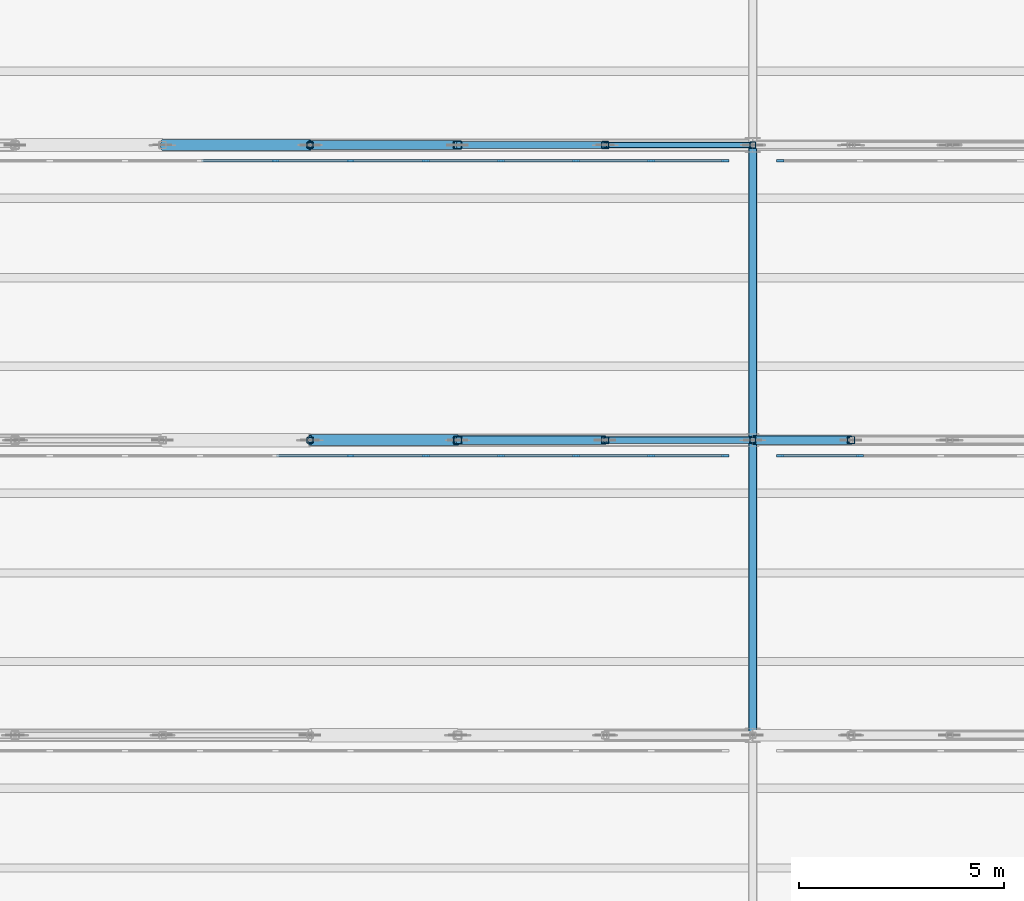
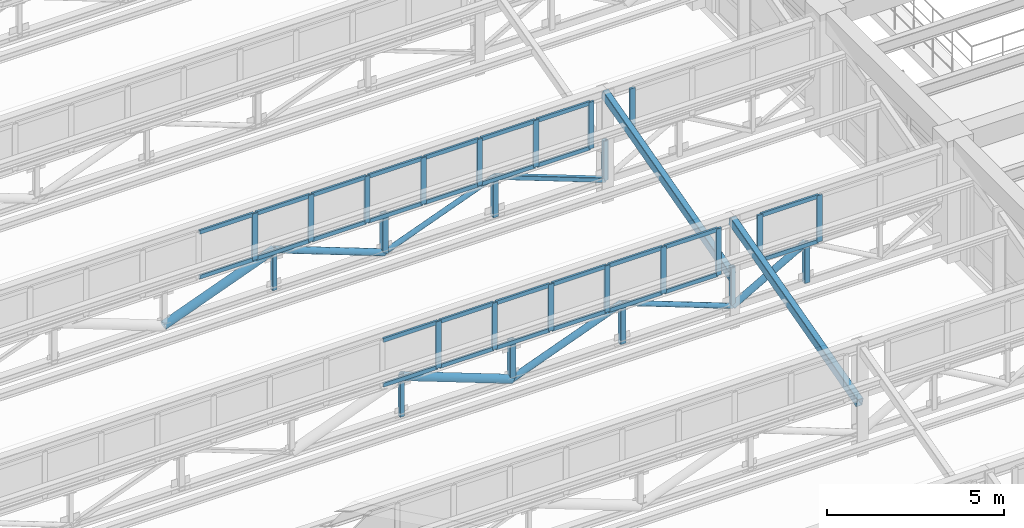
# One storey, part 21 of 98: 61 members, 2 beams, 4 elements without a shape of their own.
"""IFC4 building model written with IfcOpenShell, lengths in metres."""

from ifc_helpers import new_model, si_unit, direction, frame, origin, origin_2d, place, context, subcontext, project, spatial, rectangle, hollow_rectangle, hollow_circle, extrude, material, layer, layer_set, material_profile, profile_set, type_object, element, aggregate, save


model = new_model("IFC4")

# Units and contexts
model_context = context("Model", 3, precision=1e-05, world=origin(), true_north=direction((0.0, 1.0)))
body_context = subcontext(model_context, "Body", "Model", "MODEL_VIEW")
ifc_project = project(units=[si_unit("LENGTHUNIT", "METRE"), si_unit("AREAUNIT", "SQUARE_METRE"), si_unit("VOLUMEUNIT", "CUBIC_METRE"), si_unit("PLANEANGLEUNIT", "RADIAN"), si_unit("MASSUNIT", "GRAM", prefix="KILO")], contexts=[model_context])

# Site, building, storey
site_placement = place(None, origin())
site = spatial("IfcSite", under=ifc_project, at=site_placement, CompositionType="ELEMENT")
building_placement = place(site_placement, origin())
building = spatial("IfcBuilding", under=site, at=building_placement, Name="Solenvale Faculty of Natural Sciences", CompositionType="ELEMENT")
storey_placement = place(building_placement, frame((0.0, 0.0, 9.0)))
storey = spatial("IfcBuildingStorey", under=building, at=storey_placement, Name="L02", CompositionType="ELEMENT", Elevation=9.0)

# Beams
ifc_material_1 = material(Name="Steel S355", Category="steel")
ifc_material_profile_1 = material_profile(ifc_material_1, hollow_rectangle(XDim=0.202880859375, YDim=0.304931640625, WallThickness=0.0126953125, InnerFilletRadius=0.0126953125, OuterFilletRadius=0.025390625, at=origin_2d()), Name="HSS305x203x13")
ifc_profile_set_1 = profile_set([ifc_material_profile_1], Name="Steel S355")
beam_type = type_object("IfcBeamType", Name="BM-RAF-HSS305", PredefinedType="BEAM", material=ifc_profile_set_1)
beam_1_placement = place(storey_placement, frame((28.800048828125, 14.39990234375, 1.719970703125), z_axis=(0.0, 0.965904187204, 0.258899789768), x_axis=(-1.0, 0.0, 0.0)))
element("IfcBeam", 1, at=beam_1_placement, inside=storey, type_object=beam_type, Name="V1 Sawtooth End Rafter 3.1.E", PredefinedType="BEAM", context=body_context, shape_type="SweptSolid", body=[
    extrude(hollow_rectangle(XDim=0.202880859375, YDim=0.304931640625, WallThickness=0.0126953125, InnerFilletRadius=0.0126953125, OuterFilletRadius=0.025390625, at=origin_2d()), origin(), (0.0, 0.0, 1.0), 7.454345703125),
])
beam_2_placement = place(storey_placement, frame((28.800048828125, 21.60009765625, 1.719970703125), z_axis=(0.0, 0.965901991803, 0.258907980238), x_axis=(-1.0, 0.0, 0.0)))
element("IfcBeam", 2, at=beam_2_placement, inside=storey, type_object=beam_type, Name="V1 Sawtooth End Rafter 4.1.E", PredefinedType="BEAM", context=body_context, shape_type="SweptSolid", body=[
    extrude(hollow_rectangle(XDim=0.202880859375, YDim=0.304931640625, WallThickness=0.0126953125, InnerFilletRadius=0.0126953125, OuterFilletRadius=0.025390625, at=origin_2d()), origin(), (0.0, 0.0, 1.0), 7.4541015625),
])

# Curtain wall, members
ifc_material_2 = material(Name="Anodised bronze aluminium", Category="aluminium")
ifc_layer = layer(ifc_material_2, 0.1650390625)
ifc_layer_set = layer_set([ifc_layer], Name="Anodised bronze aluminium")
curtain_wall_type = type_object("IfcCurtainWallType", Name="CW-SAW-CLR", PredefinedType="USERDEFINED", material=ifc_layer_set)
curtain_wall_1_placement = place(storey_placement, origin())
curtain_wall_1 = element("IfcCurtainWall", 3, at=curtain_wall_1_placement, inside=storey, type_object=curtain_wall_type, Name="L02 Curtain Wall SAW-V1-CW-3-1", ObjectType="NORTH LIGHT CLERESTORY", PredefinedType="USERDEFINED")
ifc_material_profile_2 = material_profile(ifc_material_2, rectangle(XDim=0.06494140625, YDim=0.175048828125, at=origin_2d()), Name="ALU-MUL-65x175")
ifc_profile_set_2 = profile_set([ifc_material_profile_2], Name="Anodised bronze aluminium")
member_type_1 = type_object("IfcMemberType", Name="CWM-ALU-65x175", PredefinedType="MULLION", material=ifc_profile_set_2)
member_1_placement = place(storey_placement, frame((28.12744140625, 21.219970703125, 2.22998046875), z_axis=(0.0, 0.0, 1.0), x_axis=(0.0, -1.0, 0.0)))
member_1 = element("IfcMember", 4, at=member_1_placement, type_object=member_type_1, Name="CW-05 mullion 1", PredefinedType="MULLION", context=body_context, shape_type="SweptSolid", body=[
    extrude(rectangle(XDim=0.06494140625, YDim=0.175048828125, at=origin_2d()), origin(), (0.0, 0.0, 1.0), 1.610107421875),
])
member_2_placement = place(storey_placement, frame((26.325439453125, 21.219970703125, 2.22998046875), z_axis=(0.0, 0.0, 1.0), x_axis=(0.0, -1.0, 0.0)))
member_2 = element("IfcMember", 5, at=member_2_placement, type_object=member_type_1, Name="CW-05 mullion 2", PredefinedType="MULLION", context=body_context, shape_type="SweptSolid", body=[
    extrude(rectangle(XDim=0.06494140625, YDim=0.175048828125, at=origin_2d()), origin(), (0.0, 0.0, 1.0), 1.610107421875),
])
member_3_placement = place(storey_placement, frame((24.49072265625, 21.219970703125, 2.22998046875), z_axis=(0.0, 0.0, 1.0), x_axis=(0.0, -1.0, 0.0)))
member_3 = element("IfcMember", 6, at=member_3_placement, type_object=member_type_1, Name="CW-05 mullion 3", PredefinedType="MULLION", context=body_context, shape_type="SweptSolid", body=[
    extrude(rectangle(XDim=0.06494140625, YDim=0.175048828125, at=origin_2d()), origin(), (0.0, 0.0, 1.0), 1.610107421875),
])
member_4_placement = place(storey_placement, frame((22.656005859375, 21.219970703125, 2.22998046875), z_axis=(0.0, 0.0, 1.0), x_axis=(0.0, -1.0, 0.0)))
member_4 = element("IfcMember", 7, at=member_4_placement, type_object=member_type_1, Name="CW-05 mullion 4", PredefinedType="MULLION", context=body_context, shape_type="SweptSolid", body=[
    extrude(rectangle(XDim=0.06494140625, YDim=0.175048828125, at=origin_2d()), origin(), (0.0, 0.0, 1.0), 1.610107421875),
])
member_5_placement = place(storey_placement, frame((20.8212890625, 21.219970703125, 2.22998046875), z_axis=(0.0, 0.0, 1.0), x_axis=(0.0, -1.0, 0.0)))
member_5 = element("IfcMember", 8, at=member_5_placement, type_object=member_type_1, Name="CW-05 mullion 5", PredefinedType="MULLION", context=body_context, shape_type="SweptSolid", body=[
    extrude(rectangle(XDim=0.06494140625, YDim=0.175048828125, at=origin_2d()), origin(), (0.0, 0.0, 1.0), 1.610107421875),
])
member_6_placement = place(storey_placement, frame((18.986572265625, 21.219970703125, 2.22998046875), z_axis=(0.0, 0.0, 1.0), x_axis=(0.0, -1.0, 0.0)))
member_6 = element("IfcMember", 9, at=member_6_placement, type_object=member_type_1, Name="CW-05 mullion 6", PredefinedType="MULLION", context=body_context, shape_type="SweptSolid", body=[
    extrude(rectangle(XDim=0.06494140625, YDim=0.175048828125, at=origin_2d()), origin(), (0.0, 0.0, 1.0), 1.610107421875),
])

curtain_wall_2_placement = place(storey_placement, origin())
curtain_wall_2 = element("IfcCurtainWall", 10, at=curtain_wall_2_placement, inside=storey, type_object=curtain_wall_type, Name="L02 Curtain Wall SAW-V1-CW-3-2", ObjectType="NORTH LIGHT CLERESTORY", PredefinedType="USERDEFINED")
member_7_placement = place(storey_placement, frame((31.413330078125, 21.219970703125, 2.22998046875), z_axis=(0.0, 0.0, 1.0), x_axis=(0.0, -1.0, 0.0)))
member_7 = element("IfcMember", 11, at=member_7_placement, type_object=member_type_1, Name="CW-05 mullion 3", PredefinedType="MULLION", context=body_context, shape_type="SweptSolid", body=[
    extrude(rectangle(XDim=0.06494140625, YDim=0.175048828125, at=origin_2d()), origin(), (0.0, 0.0, 1.0), 1.610107421875),
])
member_8_placement = place(storey_placement, frame((29.472412109375, 21.219970703125, 2.22998046875), z_axis=(0.0, 0.0, 1.0), x_axis=(0.0, -1.0, 0.0)))
member_8 = element("IfcMember", 12, at=member_8_placement, type_object=member_type_1, Name="CW-05 mullion 4", PredefinedType="MULLION", context=body_context, shape_type="SweptSolid", body=[
    extrude(rectangle(XDim=0.06494140625, YDim=0.175048828125, at=origin_2d()), origin(), (0.0, 0.0, 1.0), 1.610107421875),
])

curtain_wall_3_placement = place(storey_placement, origin())
curtain_wall_3 = element("IfcCurtainWall", 13, at=curtain_wall_3_placement, inside=storey, type_object=curtain_wall_type, Name="L02 Curtain Wall SAW-V1-CW-4-1", ObjectType="NORTH LIGHT CLERESTORY", PredefinedType="USERDEFINED")
member_9_placement = place(storey_placement, frame((28.12744140625, 28.419921875, 2.22998046875), z_axis=(0.0, 0.0, 1.0), x_axis=(0.0, -1.0, 0.0)))
member_9 = element("IfcMember", 14, at=member_9_placement, type_object=member_type_1, Name="CW-05 mullion 1", PredefinedType="MULLION", context=body_context, shape_type="SweptSolid", body=[
    extrude(rectangle(XDim=0.06494140625, YDim=0.175048828125, at=origin_2d()), origin(), (0.0, 0.0, 1.0), 1.610107421875),
])
member_10_placement = place(storey_placement, frame((26.325439453125, 28.419921875, 2.22998046875), z_axis=(0.0, 0.0, 1.0), x_axis=(0.0, -1.0, 0.0)))
member_10 = element("IfcMember", 15, at=member_10_placement, type_object=member_type_1, Name="CW-05 mullion 2", PredefinedType="MULLION", context=body_context, shape_type="SweptSolid", body=[
    extrude(rectangle(XDim=0.06494140625, YDim=0.175048828125, at=origin_2d()), origin(), (0.0, 0.0, 1.0), 1.610107421875),
])
member_11_placement = place(storey_placement, frame((24.49072265625, 28.419921875, 2.22998046875), z_axis=(0.0, 0.0, 1.0), x_axis=(0.0, -1.0, 0.0)))
member_11 = element("IfcMember", 16, at=member_11_placement, type_object=member_type_1, Name="CW-05 mullion 3", PredefinedType="MULLION", context=body_context, shape_type="SweptSolid", body=[
    extrude(rectangle(XDim=0.06494140625, YDim=0.175048828125, at=origin_2d()), origin(), (0.0, 0.0, 1.0), 1.610107421875),
])
member_12_placement = place(storey_placement, frame((22.656005859375, 28.419921875, 2.22998046875), z_axis=(0.0, 0.0, 1.0), x_axis=(0.0, -1.0, 0.0)))
member_12 = element("IfcMember", 17, at=member_12_placement, type_object=member_type_1, Name="CW-05 mullion 4", PredefinedType="MULLION", context=body_context, shape_type="SweptSolid", body=[
    extrude(rectangle(XDim=0.06494140625, YDim=0.175048828125, at=origin_2d()), origin(), (0.0, 0.0, 1.0), 1.610107421875),
])
member_13_placement = place(storey_placement, frame((20.8212890625, 28.419921875, 2.22998046875), z_axis=(0.0, 0.0, 1.0), x_axis=(0.0, -1.0, 0.0)))
member_13 = element("IfcMember", 18, at=member_13_placement, type_object=member_type_1, Name="CW-05 mullion 5", PredefinedType="MULLION", context=body_context, shape_type="SweptSolid", body=[
    extrude(rectangle(XDim=0.06494140625, YDim=0.175048828125, at=origin_2d()), origin(), (0.0, 0.0, 1.0), 1.610107421875),
])
member_14_placement = place(storey_placement, frame((18.986572265625, 28.419921875, 2.22998046875), z_axis=(0.0, 0.0, 1.0), x_axis=(0.0, -1.0, 0.0)))
member_14 = element("IfcMember", 19, at=member_14_placement, type_object=member_type_1, Name="CW-05 mullion 6", PredefinedType="MULLION", context=body_context, shape_type="SweptSolid", body=[
    extrude(rectangle(XDim=0.06494140625, YDim=0.175048828125, at=origin_2d()), origin(), (0.0, 0.0, 1.0), 1.610107421875),
])
member_15_placement = place(storey_placement, frame((17.152099609375, 28.419921875, 2.22998046875), z_axis=(0.0, 0.0, 1.0), x_axis=(0.0, -1.0, 0.0)))
member_15 = element("IfcMember", 20, at=member_15_placement, type_object=member_type_1, Name="CW-05 mullion 7", PredefinedType="MULLION", context=body_context, shape_type="SweptSolid", body=[
    extrude(rectangle(XDim=0.06494140625, YDim=0.175048828125, at=origin_2d()), origin(), (0.0, 0.0, 1.0), 1.610107421875),
])

# Curtain wall, member
curtain_wall_4_placement = place(storey_placement, origin())
curtain_wall_4 = element("IfcCurtainWall", 21, at=curtain_wall_4_placement, inside=storey, type_object=curtain_wall_type, Name="L02 Curtain Wall SAW-V1-CW-4-2", ObjectType="NORTH LIGHT CLERESTORY", PredefinedType="USERDEFINED")
member_16_placement = place(storey_placement, frame((29.472412109375, 28.419921875, 2.22998046875), z_axis=(0.0, 0.0, 1.0), x_axis=(0.0, -1.0, 0.0)))
member_16 = element("IfcMember", 22, at=member_16_placement, type_object=member_type_1, Name="CW-05 mullion 4", PredefinedType="MULLION", context=body_context, shape_type="SweptSolid", body=[
    extrude(rectangle(XDim=0.06494140625, YDim=0.175048828125, at=origin_2d()), origin(), (0.0, 0.0, 1.0), 1.610107421875),
])
aggregate(curtain_wall_4, [member_16])

# Member
ifc_material_profile_3 = material_profile(ifc_material_2, rectangle(XDim=0.06494140625, YDim=0.135009765625, at=origin_2d()), Name="ALU-TRN-65x135")
ifc_profile_set_3 = profile_set([ifc_material_profile_3], Name="Anodised bronze aluminium")
member_type_2 = type_object("IfcMemberType", Name="CWT-ALU-65x135", PredefinedType="USERDEFINED", material=ifc_profile_set_3)
member_17_placement = place(storey_placement, frame((28.094970703125, 21.219970703125, 2.262451171875), z_axis=(-1.0, 0.0, 0.0), x_axis=(0.0, -1.0, 0.0)))
member_17 = element("IfcMember", 23, at=member_17_placement, type_object=member_type_2, Name="CW-05 transom 1.1", ObjectType="TRANSOM", PredefinedType="USERDEFINED", context=body_context, shape_type="SweptSolid", body=[
    extrude(rectangle(XDim=0.06494140625, YDim=0.135009765625, at=origin_2d()), origin(), (0.0, 0.0, 1.0), 1.737060546875),
])

member_18_placement = place(storey_placement, frame((28.094970703125, 21.219970703125, 3.8076171875), z_axis=(-1.0, 0.0, 0.0), x_axis=(0.0, -1.0, 0.0)))
member_18 = element("IfcMember", 24, at=member_18_placement, type_object=member_type_2, Name="CW-05 transom 1.2", ObjectType="TRANSOM", PredefinedType="USERDEFINED", context=body_context, shape_type="SweptSolid", body=[
    extrude(rectangle(XDim=0.06494140625, YDim=0.135009765625, at=origin_2d()), origin(), (0.0, 0.0, 1.0), 1.737060546875),
])

member_19_placement = place(storey_placement, frame((26.292724609375, 21.219970703125, 2.262451171875), z_axis=(-1.0, 0.0, 0.0), x_axis=(0.0, -1.0, 0.0)))
member_19 = element("IfcMember", 25, at=member_19_placement, type_object=member_type_2, Name="CW-05 transom 2.1", ObjectType="TRANSOM", PredefinedType="USERDEFINED", context=body_context, shape_type="SweptSolid", body=[
    extrude(rectangle(XDim=0.06494140625, YDim=0.135009765625, at=origin_2d()), origin(), (0.0, 0.0, 1.0), 1.76953125),
])

member_20_placement = place(storey_placement, frame((26.292724609375, 21.219970703125, 3.8076171875), z_axis=(-1.0, 0.0, 0.0), x_axis=(0.0, -1.0, 0.0)))
member_20 = element("IfcMember", 26, at=member_20_placement, type_object=member_type_2, Name="CW-05 transom 2.2", ObjectType="TRANSOM", PredefinedType="USERDEFINED", context=body_context, shape_type="SweptSolid", body=[
    extrude(rectangle(XDim=0.06494140625, YDim=0.135009765625, at=origin_2d()), origin(), (0.0, 0.0, 1.0), 1.76953125),
])

member_21_placement = place(storey_placement, frame((24.458251953125, 21.219970703125, 2.262451171875), z_axis=(-1.0, 0.0, 0.0), x_axis=(0.0, -1.0, 0.0)))
member_21 = element("IfcMember", 27, at=member_21_placement, type_object=member_type_2, Name="CW-05 transom 3.1", ObjectType="TRANSOM", PredefinedType="USERDEFINED", context=body_context, shape_type="SweptSolid", body=[
    extrude(rectangle(XDim=0.06494140625, YDim=0.135009765625, at=origin_2d()), origin(), (0.0, 0.0, 1.0), 1.769775390625),
])

member_22_placement = place(storey_placement, frame((24.458251953125, 21.219970703125, 3.8076171875), z_axis=(-1.0, 0.0, 0.0), x_axis=(0.0, -1.0, 0.0)))
member_22 = element("IfcMember", 28, at=member_22_placement, type_object=member_type_2, Name="CW-05 transom 3.2", ObjectType="TRANSOM", PredefinedType="USERDEFINED", context=body_context, shape_type="SweptSolid", body=[
    extrude(rectangle(XDim=0.06494140625, YDim=0.135009765625, at=origin_2d()), origin(), (0.0, 0.0, 1.0), 1.769775390625),
])

member_23_placement = place(storey_placement, frame((22.62353515625, 21.219970703125, 2.262451171875), z_axis=(-1.0, 0.0, 0.0), x_axis=(0.0, -1.0, 0.0)))
member_23 = element("IfcMember", 29, at=member_23_placement, type_object=member_type_2, Name="CW-05 transom 4.1", ObjectType="TRANSOM", PredefinedType="USERDEFINED", context=body_context, shape_type="SweptSolid", body=[
    extrude(rectangle(XDim=0.06494140625, YDim=0.135009765625, at=origin_2d()), origin(), (0.0, 0.0, 1.0), 1.769775390625),
])

member_24_placement = place(storey_placement, frame((22.62353515625, 21.219970703125, 3.8076171875), z_axis=(-1.0, 0.0, 0.0), x_axis=(0.0, -1.0, 0.0)))
member_24 = element("IfcMember", 30, at=member_24_placement, type_object=member_type_2, Name="CW-05 transom 4.2", ObjectType="TRANSOM", PredefinedType="USERDEFINED", context=body_context, shape_type="SweptSolid", body=[
    extrude(rectangle(XDim=0.06494140625, YDim=0.135009765625, at=origin_2d()), origin(), (0.0, 0.0, 1.0), 1.769775390625),
])

member_25_placement = place(storey_placement, frame((20.788818359375, 21.219970703125, 2.262451171875), z_axis=(-1.0, 0.0, 0.0), x_axis=(0.0, -1.0, 0.0)))
member_25 = element("IfcMember", 31, at=member_25_placement, type_object=member_type_2, Name="CW-05 transom 5.1", ObjectType="TRANSOM", PredefinedType="USERDEFINED", context=body_context, shape_type="SweptSolid", body=[
    extrude(rectangle(XDim=0.06494140625, YDim=0.135009765625, at=origin_2d()), origin(), (0.0, 0.0, 1.0), 1.76953125),
])

member_26_placement = place(storey_placement, frame((20.788818359375, 21.219970703125, 3.8076171875), z_axis=(-1.0, 0.0, 0.0), x_axis=(0.0, -1.0, 0.0)))
member_26 = element("IfcMember", 32, at=member_26_placement, type_object=member_type_2, Name="CW-05 transom 5.2", ObjectType="TRANSOM", PredefinedType="USERDEFINED", context=body_context, shape_type="SweptSolid", body=[
    extrude(rectangle(XDim=0.06494140625, YDim=0.135009765625, at=origin_2d()), origin(), (0.0, 0.0, 1.0), 1.76953125),
])

member_27_placement = place(storey_placement, frame((18.9541015625, 21.219970703125, 2.262451171875), z_axis=(-1.0, 0.0, 0.0), x_axis=(0.0, -1.0, 0.0)))
member_27 = element("IfcMember", 33, at=member_27_placement, type_object=member_type_2, Name="CW-05 transom 6.1", ObjectType="TRANSOM", PredefinedType="USERDEFINED", context=body_context, shape_type="SweptSolid", body=[
    extrude(rectangle(XDim=0.06494140625, YDim=0.135009765625, at=origin_2d()), origin(), (0.0, 0.0, 1.0), 1.76953125),
])

member_28_placement = place(storey_placement, frame((18.9541015625, 21.219970703125, 3.8076171875), z_axis=(-1.0, 0.0, 0.0), x_axis=(0.0, -1.0, 0.0)))
member_28 = element("IfcMember", 34, at=member_28_placement, type_object=member_type_2, Name="CW-05 transom 6.2", ObjectType="TRANSOM", PredefinedType="USERDEFINED", context=body_context, shape_type="SweptSolid", body=[
    extrude(rectangle(XDim=0.06494140625, YDim=0.135009765625, at=origin_2d()), origin(), (0.0, 0.0, 1.0), 1.76953125),
])

aggregate(curtain_wall_1, [member_1, member_2, member_3, member_4, member_5, member_6, member_17, member_18, member_19, member_20, member_21, member_22, member_23, member_24, member_25, member_26, member_27, member_28])

member_29_placement = place(storey_placement, frame((31.380859375, 21.219970703125, 2.262451171875), z_axis=(-1.0, 0.0, 0.0), x_axis=(0.0, -1.0, 0.0)))
member_29 = element("IfcMember", 35, at=member_29_placement, type_object=member_type_2, Name="CW-05 transom 3.1", ObjectType="TRANSOM", PredefinedType="USERDEFINED", context=body_context, shape_type="SweptSolid", body=[
    extrude(rectangle(XDim=0.06494140625, YDim=0.135009765625, at=origin_2d()), origin(), (0.0, 0.0, 1.0), 1.8759765625),
])

member_30_placement = place(storey_placement, frame((31.380859375, 21.219970703125, 3.8076171875), z_axis=(-1.0, 0.0, 0.0), x_axis=(0.0, -1.0, 0.0)))
member_30 = element("IfcMember", 36, at=member_30_placement, type_object=member_type_2, Name="CW-05 transom 3.2", ObjectType="TRANSOM", PredefinedType="USERDEFINED", context=body_context, shape_type="SweptSolid", body=[
    extrude(rectangle(XDim=0.06494140625, YDim=0.135009765625, at=origin_2d()), origin(), (0.0, 0.0, 1.0), 1.8759765625),
])

aggregate(curtain_wall_2, [member_7, member_8, member_29, member_30])

member_31_placement = place(storey_placement, frame((28.094970703125, 28.419921875, 2.262451171875), z_axis=(-1.0, 0.0, 0.0), x_axis=(0.0, -1.0, 0.0)))
member_31 = element("IfcMember", 37, at=member_31_placement, type_object=member_type_2, Name="CW-05 transom 1.1", ObjectType="TRANSOM", PredefinedType="USERDEFINED", context=body_context, shape_type="SweptSolid", body=[
    extrude(rectangle(XDim=0.06494140625, YDim=0.135009765625, at=origin_2d()), origin(), (0.0, 0.0, 1.0), 1.737060546875),
])

member_32_placement = place(storey_placement, frame((28.094970703125, 28.419921875, 3.8076171875), z_axis=(-1.0, 0.0, 0.0), x_axis=(0.0, -1.0, 0.0)))
member_32 = element("IfcMember", 38, at=member_32_placement, type_object=member_type_2, Name="CW-05 transom 1.2", ObjectType="TRANSOM", PredefinedType="USERDEFINED", context=body_context, shape_type="SweptSolid", body=[
    extrude(rectangle(XDim=0.06494140625, YDim=0.135009765625, at=origin_2d()), origin(), (0.0, 0.0, 1.0), 1.737060546875),
])

member_33_placement = place(storey_placement, frame((26.292724609375, 28.419921875, 2.262451171875), z_axis=(-1.0, 0.0, 0.0), x_axis=(0.0, -1.0, 0.0)))
member_33 = element("IfcMember", 39, at=member_33_placement, type_object=member_type_2, Name="CW-05 transom 2.1", ObjectType="TRANSOM", PredefinedType="USERDEFINED", context=body_context, shape_type="SweptSolid", body=[
    extrude(rectangle(XDim=0.06494140625, YDim=0.135009765625, at=origin_2d()), origin(), (0.0, 0.0, 1.0), 1.76953125),
])

member_34_placement = place(storey_placement, frame((26.292724609375, 28.419921875, 3.8076171875), z_axis=(-1.0, 0.0, 0.0), x_axis=(0.0, -1.0, 0.0)))
member_34 = element("IfcMember", 40, at=member_34_placement, type_object=member_type_2, Name="CW-05 transom 2.2", ObjectType="TRANSOM", PredefinedType="USERDEFINED", context=body_context, shape_type="SweptSolid", body=[
    extrude(rectangle(XDim=0.06494140625, YDim=0.135009765625, at=origin_2d()), origin(), (0.0, 0.0, 1.0), 1.76953125),
])

member_35_placement = place(storey_placement, frame((24.458251953125, 28.419921875, 2.262451171875), z_axis=(-1.0, 0.0, 0.0), x_axis=(0.0, -1.0, 0.0)))
member_35 = element("IfcMember", 41, at=member_35_placement, type_object=member_type_2, Name="CW-05 transom 3.1", ObjectType="TRANSOM", PredefinedType="USERDEFINED", context=body_context, shape_type="SweptSolid", body=[
    extrude(rectangle(XDim=0.06494140625, YDim=0.135009765625, at=origin_2d()), origin(), (0.0, 0.0, 1.0), 1.769775390625),
])

member_36_placement = place(storey_placement, frame((24.458251953125, 28.419921875, 3.8076171875), z_axis=(-1.0, 0.0, 0.0), x_axis=(0.0, -1.0, 0.0)))
member_36 = element("IfcMember", 42, at=member_36_placement, type_object=member_type_2, Name="CW-05 transom 3.2", ObjectType="TRANSOM", PredefinedType="USERDEFINED", context=body_context, shape_type="SweptSolid", body=[
    extrude(rectangle(XDim=0.06494140625, YDim=0.135009765625, at=origin_2d()), origin(), (0.0, 0.0, 1.0), 1.769775390625),
])

member_37_placement = place(storey_placement, frame((22.62353515625, 28.419921875, 2.262451171875), z_axis=(-1.0, 0.0, 0.0), x_axis=(0.0, -1.0, 0.0)))
member_37 = element("IfcMember", 43, at=member_37_placement, type_object=member_type_2, Name="CW-05 transom 4.1", ObjectType="TRANSOM", PredefinedType="USERDEFINED", context=body_context, shape_type="SweptSolid", body=[
    extrude(rectangle(XDim=0.06494140625, YDim=0.135009765625, at=origin_2d()), origin(), (0.0, 0.0, 1.0), 1.769775390625),
])

member_38_placement = place(storey_placement, frame((22.62353515625, 28.419921875, 3.8076171875), z_axis=(-1.0, 0.0, 0.0), x_axis=(0.0, -1.0, 0.0)))
member_38 = element("IfcMember", 44, at=member_38_placement, type_object=member_type_2, Name="CW-05 transom 4.2", ObjectType="TRANSOM", PredefinedType="USERDEFINED", context=body_context, shape_type="SweptSolid", body=[
    extrude(rectangle(XDim=0.06494140625, YDim=0.135009765625, at=origin_2d()), origin(), (0.0, 0.0, 1.0), 1.769775390625),
])

member_39_placement = place(storey_placement, frame((20.788818359375, 28.419921875, 2.262451171875), z_axis=(-1.0, 0.0, 0.0), x_axis=(0.0, -1.0, 0.0)))
member_39 = element("IfcMember", 45, at=member_39_placement, type_object=member_type_2, Name="CW-05 transom 5.1", ObjectType="TRANSOM", PredefinedType="USERDEFINED", context=body_context, shape_type="SweptSolid", body=[
    extrude(rectangle(XDim=0.06494140625, YDim=0.135009765625, at=origin_2d()), origin(), (0.0, 0.0, 1.0), 1.76953125),
])

member_40_placement = place(storey_placement, frame((20.788818359375, 28.419921875, 3.8076171875), z_axis=(-1.0, 0.0, 0.0), x_axis=(0.0, -1.0, 0.0)))
member_40 = element("IfcMember", 46, at=member_40_placement, type_object=member_type_2, Name="CW-05 transom 5.2", ObjectType="TRANSOM", PredefinedType="USERDEFINED", context=body_context, shape_type="SweptSolid", body=[
    extrude(rectangle(XDim=0.06494140625, YDim=0.135009765625, at=origin_2d()), origin(), (0.0, 0.0, 1.0), 1.76953125),
])

member_41_placement = place(storey_placement, frame((18.9541015625, 28.419921875, 2.262451171875), z_axis=(-1.0, 0.0, 0.0), x_axis=(0.0, -1.0, 0.0)))
member_41 = element("IfcMember", 47, at=member_41_placement, type_object=member_type_2, Name="CW-05 transom 6.1", ObjectType="TRANSOM", PredefinedType="USERDEFINED", context=body_context, shape_type="SweptSolid", body=[
    extrude(rectangle(XDim=0.06494140625, YDim=0.135009765625, at=origin_2d()), origin(), (0.0, 0.0, 1.0), 1.76953125),
])

member_42_placement = place(storey_placement, frame((18.9541015625, 28.419921875, 3.8076171875), z_axis=(-1.0, 0.0, 0.0), x_axis=(0.0, -1.0, 0.0)))
member_42 = element("IfcMember", 48, at=member_42_placement, type_object=member_type_2, Name="CW-05 transom 6.2", ObjectType="TRANSOM", PredefinedType="USERDEFINED", context=body_context, shape_type="SweptSolid", body=[
    extrude(rectangle(XDim=0.06494140625, YDim=0.135009765625, at=origin_2d()), origin(), (0.0, 0.0, 1.0), 1.76953125),
])

member_43_placement = place(storey_placement, frame((17.119384765625, 28.419921875, 2.262451171875), z_axis=(-1.0, 0.0, 0.0), x_axis=(0.0, -1.0, 0.0)))
member_43 = element("IfcMember", 49, at=member_43_placement, type_object=member_type_2, Name="CW-05 transom 7.1", ObjectType="TRANSOM", PredefinedType="USERDEFINED", context=body_context, shape_type="SweptSolid", body=[
    extrude(rectangle(XDim=0.06494140625, YDim=0.135009765625, at=origin_2d()), origin(), (0.0, 0.0, 1.0), 1.76953125),
])

member_44_placement = place(storey_placement, frame((17.119384765625, 28.419921875, 3.8076171875), z_axis=(-1.0, 0.0, 0.0), x_axis=(0.0, -1.0, 0.0)))
member_44 = element("IfcMember", 50, at=member_44_placement, type_object=member_type_2, Name="CW-05 transom 7.2", ObjectType="TRANSOM", PredefinedType="USERDEFINED", context=body_context, shape_type="SweptSolid", body=[
    extrude(rectangle(XDim=0.06494140625, YDim=0.135009765625, at=origin_2d()), origin(), (0.0, 0.0, 1.0), 1.76953125),
])

aggregate(curtain_wall_3, [member_9, member_10, member_11, member_12, member_13, member_14, member_15, member_31, member_32, member_33, member_34, member_35, member_36, member_37, member_38, member_39, member_40, member_41, member_42, member_43, member_44])

# Members
ifc_material_profile_4 = material_profile(ifc_material_1, hollow_circle(Radius=0.084228515625, WallThickness=0.008056640625, at=origin_2d()), Name="HSS168x8.0")
ifc_profile_set_4 = profile_set([ifc_material_profile_4], Name="Steel S355")
member_type_3 = type_object("IfcMemberType", Name="MB-BRC-CHS168", PredefinedType="BRACE", material=ifc_profile_set_4)
member_45_placement = place(storey_placement, frame((25.199951171875, 21.60009765625, 2.050048828125), z_axis=(0.935466034784, 0.0, -0.353416606522), x_axis=(0.0, 1.0, 0.0)))
element("IfcMember", 51, at=member_45_placement, inside=storey, type_object=member_type_3, Name="V1 Truss 3.1 Diagonal 8", PredefinedType="BRACE", context=body_context, shape_type="SweptSolid", body=[
    extrude(hollow_circle(Radius=0.084228515625, WallThickness=0.008056640625, at=origin_2d()), origin(), (0.0, 0.0, 1.0), 3.848388671875),
])
member_46_placement = place(storey_placement, frame((21.60009765625, 28.800048828125, 0.68994140625), z_axis=(0.935458110384, 0.0, 0.353437581075), x_axis=(0.0, 1.0, 0.0)))
element("IfcMember", 52, at=member_46_placement, inside=storey, type_object=member_type_3, Name="V1 Truss 4.1 Diagonal 7", PredefinedType="BRACE", context=body_context, shape_type="SweptSolid", body=[
    extrude(hollow_circle(Radius=0.084228515625, WallThickness=0.008056640625, at=origin_2d()), origin(), (0.0, 0.0, 1.0), 3.84814453125),
])
ifc_material_profile_5 = material_profile(ifc_material_1, hollow_circle(Radius=0.109619140625, WallThickness=0.009521484375, at=origin_2d()), Name="HSS219x9.5")
ifc_profile_set_5 = profile_set([ifc_material_profile_5], Name="Steel S355")
member_type_4 = type_object("IfcMemberType", Name="MB-BRC-CHS219", PredefinedType="BRACE", material=ifc_profile_set_5)
member_47_placement = place(storey_placement, frame((21.60009765625, 21.60009765625, 0.68994140625), z_axis=(0.935458110384, 0.0, 0.353437581075), x_axis=(0.0, 1.0, 0.0)))
element("IfcMember", 53, at=member_47_placement, inside=storey, type_object=member_type_4, Name="V1 Truss 3.1 Diagonal 7", PredefinedType="BRACE", context=body_context, shape_type="SweptSolid", body=[
    extrude(hollow_circle(Radius=0.109619140625, WallThickness=0.009521484375, at=origin_2d()), origin(), (0.0, 0.0, 1.0), 3.84814453125),
])
member_48_placement = place(storey_placement, frame((28.800048828125, 21.60009765625, 0.68994140625), z_axis=(0.869996876503, 0.0, 0.493057232859), x_axis=(0.0, 1.0, 0.0)))
element("IfcMember", 54, at=member_48_placement, inside=storey, type_object=member_type_4, Name="V1 Truss 3.2 Diagonal 1", PredefinedType="BRACE", context=body_context, shape_type="SweptSolid", body=[
    extrude(hollow_circle(Radius=0.109619140625, WallThickness=0.009521484375, at=origin_2d()), origin(), (0.0, 0.0, 1.0), 2.758544921875),
])
member_49_placement = place(storey_placement, frame((18.0, 28.800048828125, 2.050048828125), z_axis=(0.935466034784, 0.0, -0.353416606522), x_axis=(0.0, 1.0, 0.0)))
element("IfcMember", 55, at=member_49_placement, inside=storey, type_object=member_type_4, Name="V1 Truss 4.1 Diagonal 6", PredefinedType="BRACE", context=body_context, shape_type="SweptSolid", body=[
    extrude(hollow_circle(Radius=0.109619140625, WallThickness=0.009521484375, at=origin_2d()), origin(), (0.0, 0.0, 1.0), 3.848388671875),
])
ifc_material_profile_6 = material_profile(ifc_material_1, hollow_circle(Radius=0.136474609375, WallThickness=0.010986328125, at=origin_2d()), Name="HSS273x11")
ifc_profile_set_6 = profile_set([ifc_material_profile_6], Name="Steel S355")
member_type_5 = type_object("IfcMemberType", Name="MB-BRC-CHS273", PredefinedType="BRACE", material=ifc_profile_set_6)
for number, where, z_axis, x_axis, name in (
    (56, (18.0, 21.60009765625, 2.050048828125), (0.935466034784, 0.0, -0.353416606522), (0.0, 1.0, 0.0), "V1 Truss 3.1 Diagonal 6"),
    (57, (14.39990234375, 28.800048828125, 0.68994140625), (0.935466034784, 0.0, 0.353416606522), (0.0, 1.0, 0.0), "V1 Truss 4.1 Diagonal 5"),
):
    element("IfcMember", number, at=place(storey_placement, frame(where, z_axis=z_axis, x_axis=x_axis)), inside=storey, type_object=member_type_5, Name=name, PredefinedType="BRACE", context=body_context, shape_type="SweptSolid", body=[
        extrude(hollow_circle(Radius=0.136474609375, WallThickness=0.010986328125, at=origin_2d()), origin(), (0.0, 0.0, 1.0), 3.848388671875),
    ])
ifc_material_profile_7 = material_profile(ifc_material_1, hollow_rectangle(XDim=0.152099609375, YDim=0.152099609375, WallThickness=0.009521484375, InnerFilletRadius=0.009521484375, OuterFilletRadius=0.01904296875, at=origin_2d()), Name="HSS152x152x9.5")
ifc_profile_set_7 = profile_set([ifc_material_profile_7], Name="Steel S355")
member_type_6 = type_object("IfcMemberType", Name="MB-BRC-HSS152", PredefinedType="BRACE", material=ifc_profile_set_7)
member_50_placement = place(storey_placement, frame((25.199951171875, 28.800048828125, 2.050048828125), z_axis=(0.935466034784, 0.0, -0.353416606522), x_axis=(0.0, 1.0, 0.0)))
element("IfcMember", 58, at=member_50_placement, inside=storey, type_object=member_type_6, Name="V1 Truss 4.1 Diagonal 8", PredefinedType="BRACE", context=body_context, shape_type="SweptSolid", body=[
    extrude(hollow_rectangle(XDim=0.152099609375, YDim=0.152099609375, WallThickness=0.009521484375, InnerFilletRadius=0.009521484375, OuterFilletRadius=0.01904296875, at=origin_2d()), origin(), (0.0, 0.0, 1.0), 3.848388671875),
])
ifc_material_profile_8 = material_profile(ifc_material_1, hollow_rectangle(XDim=0.152099609375, YDim=0.152099609375, WallThickness=0.009521484375, InnerFilletRadius=0.009521484375, OuterFilletRadius=0.01904296875, at=origin_2d()), Name="HSS152x152x9.5")
ifc_profile_set_8 = profile_set([ifc_material_profile_8], Name="Steel S355")
member_type_7 = type_object("IfcMemberType", Name="MB-STR-HSS152", PredefinedType="STRUT", material=ifc_profile_set_8)
for number, where, z_axis, x_axis, name in (
    (59, (18.0, 21.60009765625, 0.68994140625), (0.0, 0.0, 1.0), (1.0, 0.0, 0.0), "V1 Truss 3.1 Strut 5"),
    (60, (28.800048828125, 21.60009765625, 0.68994140625), (0.0, 0.0, 1.0), (1.0, 0.0, 0.0), "V1 Truss 3.1 Strut 8"),
    (61, (18.0, 28.800048828125, 0.68994140625), (0.0, 0.0, 1.0), (1.0, 0.0, 0.0), "V1 Truss 4.1 Strut 5"),
    (62, (28.800048828125, 28.800048828125, 0.68994140625), (0.0, 0.0, 1.0), (1.0, 0.0, 0.0), "V1 Truss 4.1 Strut 8"),
):
    element("IfcMember", number, at=place(storey_placement, frame(where, z_axis=z_axis, x_axis=x_axis)), inside=storey, type_object=member_type_7, Name=name, PredefinedType="STRUT", context=body_context, shape_type="SweptSolid", body=[
        extrude(hollow_rectangle(XDim=0.152099609375, YDim=0.152099609375, WallThickness=0.009521484375, InnerFilletRadius=0.009521484375, OuterFilletRadius=0.01904296875, at=origin_2d()), origin(), (0.0, 0.0, 1.0), 1.360107421875),
    ])
ifc_material_profile_9 = material_profile(ifc_material_1, hollow_rectangle(XDim=0.177978515625, YDim=0.177978515625, WallThickness=0.009521484375, InnerFilletRadius=0.009521484375, OuterFilletRadius=0.01904296875, at=origin_2d()), Name="HSS178x178x9.5")
ifc_profile_set_9 = profile_set([ifc_material_profile_9], Name="Steel S355")
member_type_8 = type_object("IfcMemberType", Name="MB-STR-HSS178", PredefinedType="STRUT", material=ifc_profile_set_9)
for number, where, z_axis, x_axis, name in (
    (63, (25.199951171875, 21.60009765625, 0.68994140625), (0.0, 0.0, 1.0), (1.0, 0.0, 0.0), "V1 Truss 3.1 Strut 7"),
    (64, (31.199951171875, 21.60009765625, 0.68994140625), (0.0, 0.0, 1.0), (1.0, 0.0, 0.0), "V1 Truss 3.2 Strut 1"),
    (65, (25.199951171875, 28.800048828125, 0.68994140625), (0.0, 0.0, 1.0), (1.0, 0.0, 0.0), "V1 Truss 4.1 Strut 7"),
):
    element("IfcMember", number, at=place(storey_placement, frame(where, z_axis=z_axis, x_axis=x_axis)), inside=storey, type_object=member_type_8, Name=name, PredefinedType="STRUT", context=body_context, shape_type="SweptSolid", body=[
        extrude(hollow_rectangle(XDim=0.177978515625, YDim=0.177978515625, WallThickness=0.009521484375, InnerFilletRadius=0.009521484375, OuterFilletRadius=0.01904296875, at=origin_2d()), origin(), (0.0, 0.0, 1.0), 1.360107421875),
    ])
ifc_material_profile_10 = material_profile(ifc_material_1, hollow_rectangle(XDim=0.202880859375, YDim=0.202880859375, WallThickness=0.0126953125, InnerFilletRadius=0.0126953125, OuterFilletRadius=0.025390625, at=origin_2d()), Name="HSS203x203x13")
ifc_profile_set_10 = profile_set([ifc_material_profile_10], Name="Steel S355")
member_type_9 = type_object("IfcMemberType", Name="MB-STR-HSS203", PredefinedType="STRUT", material=ifc_profile_set_10)
for number, where, z_axis, x_axis, name in (
    (66, (21.60009765625, 21.60009765625, 0.68994140625), (0.0, 0.0, 1.0), (1.0, 0.0, 0.0), "V1 Truss 3.1 Strut 6"),
    (67, (21.60009765625, 28.800048828125, 0.68994140625), (0.0, 0.0, 1.0), (1.0, 0.0, 0.0), "V1 Truss 4.1 Strut 6"),
):
    element("IfcMember", number, at=place(storey_placement, frame(where, z_axis=z_axis, x_axis=x_axis)), inside=storey, type_object=member_type_9, Name=name, PredefinedType="STRUT", context=body_context, shape_type="SweptSolid", body=[
        extrude(hollow_rectangle(XDim=0.202880859375, YDim=0.202880859375, WallThickness=0.0126953125, InnerFilletRadius=0.0126953125, OuterFilletRadius=0.025390625, at=origin_2d()), origin(), (0.0, 0.0, 1.0), 1.360107421875),
    ])

save(model, "model.ifc")
